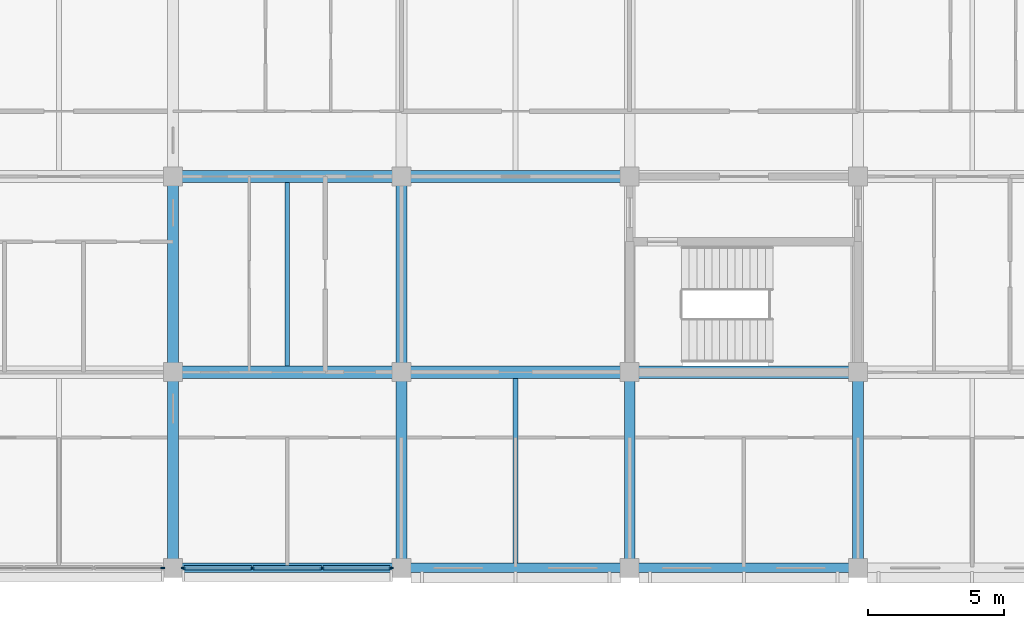
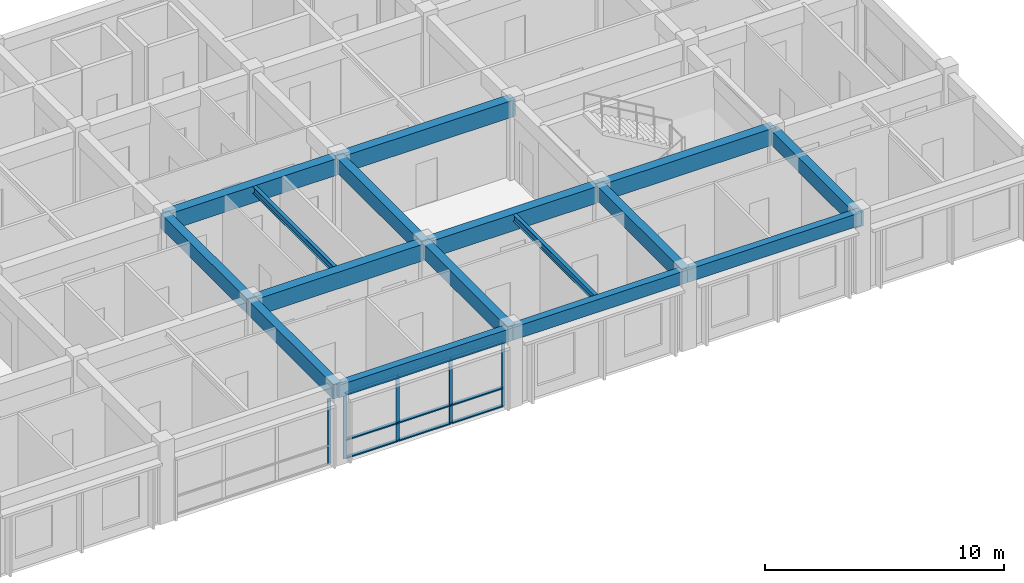
# One storey, part 5 of 19: 16 beams, 14 members, 2 elements without a shape of their own.
"""IFC4 building model written with IfcOpenShell, lengths in metres."""

from ifc_helpers import new_model, si_unit, direction, frame, origin, origin_2d, place, context, subcontext, project, spatial, rectangle, i_section, extrude, material, layer, layer_set, material_profile, profile_set, type_object, element, aggregate, save


model = new_model("IFC4")

# Units and contexts
model_context = context("Model", 3, precision=1e-05, world=origin(), true_north=direction((0.0, 1.0)))
body_context = subcontext(model_context, "Body", "Model", "MODEL_VIEW")
ifc_project = project(units=[si_unit("LENGTHUNIT", "METRE"), si_unit("AREAUNIT", "SQUARE_METRE"), si_unit("VOLUMEUNIT", "CUBIC_METRE"), si_unit("PLANEANGLEUNIT", "RADIAN"), si_unit("MASSUNIT", "GRAM", prefix="KILO")], contexts=[model_context])

# Site, building, storey
site_placement = place(None, origin())
site = spatial("IfcSite", under=ifc_project, at=site_placement, CompositionType="ELEMENT")
building_placement = place(site_placement, origin())
building = spatial("IfcBuilding", under=site, at=building_placement, Name="Chengyuan Square Courthouse", CompositionType="ELEMENT")
storey_placement = place(building_placement, frame((0.0, 0.0, 56.10009765625)))
storey = spatial("IfcBuildingStorey", under=building, at=storey_placement, Name="L13", CompositionType="ELEMENT", Elevation=56.10009765625)

# Beams
ifc_material_1 = material(Name="Concrete C40", Category="concrete")
ifc_material_profile_1 = material_profile(ifc_material_1, rectangle(XDim=0.449951171875, YDim=0.85009765625, at=origin_2d()), Name="RC-BM-450x850")
ifc_profile_set_1 = profile_set([ifc_material_profile_1], Name="Concrete C40")
beam_type_1 = type_object("IfcBeamType", Name="BM-01", PredefinedType="USERDEFINED", material=ifc_profile_set_1)
beam_1_placement = place(storey_placement, frame((84.0, 86.39990234375, 3.534912109375), z_axis=(1.0, 0.0, 0.0), x_axis=(0.0, 1.0, 0.0)))
element("IfcBeam", 1, at=beam_1_placement, inside=storey, type_object=beam_type_1, Name="Girder BM-L13-4347", ObjectType="GIRDER", PredefinedType="USERDEFINED", context=body_context, shape_type="SweptSolid", body=[
    extrude(rectangle(XDim=0.449951171875, YDim=0.85009765625, at=origin_2d()), origin(), (0.0, 0.0, 1.0), 8.39990234375),
])
beam_2_placement = place(storey_placement, frame((92.39990234375, 86.39990234375, 3.534912109375), z_axis=(1.0, 0.0, 0.0), x_axis=(0.0, 1.0, 0.0)))
element("IfcBeam", 2, at=beam_2_placement, inside=storey, type_object=beam_type_1, Name="Girder BM-L13-4348", ObjectType="GIRDER", PredefinedType="USERDEFINED", context=body_context, shape_type="SweptSolid", body=[
    extrude(rectangle(XDim=0.449951171875, YDim=0.85009765625, at=origin_2d()), origin(), (0.0, 0.0, 1.0), 8.400146484375),
])
for number, where, z_axis, x_axis, name in (
    (3, (100.800048828125, 86.39990234375, 3.534912109375), (1.0, 0.0, 0.0), (0.0, 1.0, 0.0), "Girder BM-L13-4349"),
    (4, (84.0, 93.60009765625, 3.534912109375), (1.0, 0.0, 0.0), (0.0, 1.0, 0.0), "Girder BM-L13-4355"),
):
    element("IfcBeam", number, at=place(storey_placement, frame(where, z_axis=z_axis, x_axis=x_axis)), inside=storey, type_object=beam_type_1, Name=name, ObjectType="GIRDER", PredefinedType="USERDEFINED", context=body_context, shape_type="SweptSolid", body=[
        extrude(rectangle(XDim=0.449951171875, YDim=0.85009765625, at=origin_2d()), origin(), (0.0, 0.0, 1.0), 8.39990234375),
    ])
beam_3_placement = place(storey_placement, frame((92.39990234375, 93.60009765625, 3.534912109375), z_axis=(1.0, 0.0, 0.0), x_axis=(0.0, 1.0, 0.0)))
element("IfcBeam", 5, at=beam_3_placement, inside=storey, type_object=beam_type_1, Name="Girder BM-L13-4356", ObjectType="GIRDER", PredefinedType="USERDEFINED", context=body_context, shape_type="SweptSolid", body=[
    extrude(rectangle(XDim=0.449951171875, YDim=0.85009765625, at=origin_2d()), origin(), (0.0, 0.0, 1.0), 8.400146484375),
])
ifc_material_profile_2 = material_profile(ifc_material_1, rectangle(XDim=0.39990234375, YDim=0.75, at=origin_2d()), Name="RC-BM-400x750")
ifc_profile_set_2 = profile_set([ifc_material_profile_2], Name="Concrete C40")
beam_type_2 = type_object("IfcBeamType", Name="BM-02", PredefinedType="USERDEFINED", material=ifc_profile_set_2)
beam_4_placement = place(storey_placement, frame((84.0, 79.199951171875, 3.5849609375), z_axis=(0.0, 1.0, 0.0), x_axis=(-1.0, 0.0, 0.0)))
element("IfcBeam", 6, at=beam_4_placement, inside=storey, type_object=beam_type_2, Name="Girder BM-L13-4391", ObjectType="GIRDER", PredefinedType="USERDEFINED", context=body_context, shape_type="SweptSolid", body=[
    extrude(rectangle(XDim=0.39990234375, YDim=0.75, at=origin_2d()), origin(), (0.0, 0.0, 1.0), 7.199951171875),
])
beam_5_placement = place(storey_placement, frame((84.0, 86.39990234375, 3.5849609375), z_axis=(0.0, 1.0, 0.0), x_axis=(-1.0, 0.0, 0.0)))
element("IfcBeam", 7, at=beam_5_placement, inside=storey, type_object=beam_type_2, Name="Girder BM-L13-4392", ObjectType="GIRDER", PredefinedType="USERDEFINED", context=body_context, shape_type="SweptSolid", body=[
    extrude(rectangle(XDim=0.39990234375, YDim=0.75, at=origin_2d()), origin(), (0.0, 0.0, 1.0), 7.2001953125),
])
beam_6_placement = place(storey_placement, frame((92.39990234375, 79.199951171875, 3.5849609375), z_axis=(0.0, 1.0, 0.0), x_axis=(-1.0, 0.0, 0.0)))
element("IfcBeam", 8, at=beam_6_placement, inside=storey, type_object=beam_type_2, Name="Girder BM-L13-4395", ObjectType="GIRDER", PredefinedType="USERDEFINED", context=body_context, shape_type="SweptSolid", body=[
    extrude(rectangle(XDim=0.39990234375, YDim=0.75, at=origin_2d()), origin(), (0.0, 0.0, 1.0), 7.199951171875),
])
beam_7_placement = place(storey_placement, frame((92.39990234375, 86.39990234375, 3.5849609375), z_axis=(0.0, 1.0, 0.0), x_axis=(-1.0, 0.0, 0.0)))
element("IfcBeam", 9, at=beam_7_placement, inside=storey, type_object=beam_type_2, Name="Girder BM-L13-4396", ObjectType="GIRDER", PredefinedType="USERDEFINED", context=body_context, shape_type="SweptSolid", body=[
    extrude(rectangle(XDim=0.39990234375, YDim=0.75, at=origin_2d()), origin(), (0.0, 0.0, 1.0), 7.2001953125),
])
for number, where, z_axis, x_axis, name in (
    (10, (100.800048828125, 79.199951171875, 3.5849609375), (0.0, 1.0, 0.0), (-1.0, 0.0, 0.0), "Girder BM-L13-4399"),
    (11, (109.199951171875, 79.199951171875, 3.474853515625), (0.0, 1.0, 0.0), (-1.0, 0.0, 0.0), "Girder BM-L13-4403"),
):
    element("IfcBeam", number, at=place(storey_placement, frame(where, z_axis=z_axis, x_axis=x_axis)), inside=storey, type_object=beam_type_2, Name=name, ObjectType="GIRDER", PredefinedType="USERDEFINED", context=body_context, shape_type="SweptSolid", body=[
        extrude(rectangle(XDim=0.39990234375, YDim=0.75, at=origin_2d()), origin(), (0.0, 0.0, 1.0), 7.199951171875),
    ])
ifc_material_profile_3 = material_profile(ifc_material_1, rectangle(XDim=0.35009765625, YDim=0.64990234375, at=origin_2d()), Name="RC-BM-350x650")
ifc_profile_set_3 = profile_set([ifc_material_profile_3], Name="Concrete C40")
beam_type_3 = type_object("IfcBeamType", Name="BM-03", PredefinedType="SPANDREL", material=ifc_profile_set_3)
beam_8_placement = place(storey_placement, frame((84.0, 79.199951171875, 3.635009765625), z_axis=(1.0, 0.0, 0.0), x_axis=(0.0, 1.0, 0.0)))
element("IfcBeam", 12, at=beam_8_placement, inside=storey, type_object=beam_type_3, Name="Girder BM-L13-4339", PredefinedType="SPANDREL", context=body_context, shape_type="SweptSolid", body=[
    extrude(rectangle(XDim=0.35009765625, YDim=0.64990234375, at=origin_2d()), origin(), (0.0, 0.0, 1.0), 8.39990234375),
])
beam_9_placement = place(storey_placement, frame((92.39990234375, 79.199951171875, 3.635009765625), z_axis=(1.0, 0.0, 0.0), x_axis=(0.0, 1.0, 0.0)))
element("IfcBeam", 13, at=beam_9_placement, inside=storey, type_object=beam_type_3, Name="Girder BM-L13-4340", PredefinedType="SPANDREL", context=body_context, shape_type="SweptSolid", body=[
    extrude(rectangle(XDim=0.35009765625, YDim=0.64990234375, at=origin_2d()), origin(), (0.0, 0.0, 1.0), 8.400146484375),
])
beam_10_placement = place(storey_placement, frame((100.800048828125, 79.199951171875, 3.635009765625), z_axis=(1.0, 0.0, 0.0), x_axis=(0.0, 1.0, 0.0)))
element("IfcBeam", 14, at=beam_10_placement, inside=storey, type_object=beam_type_3, Name="Girder BM-L13-4341", PredefinedType="SPANDREL", context=body_context, shape_type="SweptSolid", body=[
    extrude(rectangle(XDim=0.35009765625, YDim=0.64990234375, at=origin_2d()), origin(), (0.0, 0.0, 1.0), 8.39990234375),
])
ifc_material_2 = material(Name="Steel Q355B", Category="steel")
ifc_material_profile_4 = material_profile(ifc_material_2, i_section(OverallWidth=0.175048828125, OverallDepth=0.35009765625, WebThickness=0.007080078125, FlangeThickness=0.010986328125, at=origin_2d()), Name="HN 350x175x7x11")
ifc_profile_set_4 = profile_set([ifc_material_profile_4], Name="Steel Q355B")
beam_type_4 = type_object("IfcBeamType", Name="BM-08", PredefinedType="BEAM", material=ifc_profile_set_4)
beam_11_placement = place(storey_placement, frame((88.199951171875, 86.625, 3.784912109375), z_axis=(0.0, 1.0, 0.0), x_axis=(-1.0, 0.0, 0.0)))
element("IfcBeam", 15, at=beam_11_placement, inside=storey, type_object=beam_type_4, Name="Secondary Floor Beam SBM-L13-4419", PredefinedType="BEAM", context=body_context, shape_type="SweptSolid", body=[
    extrude(i_section(OverallWidth=0.175048828125, OverallDepth=0.35009765625, WebThickness=0.007080078125, FlangeThickness=0.010986328125, at=origin_2d()), origin(), (0.0, 0.0, 1.0), 6.75),
])
beam_12_placement = place(storey_placement, frame((96.60009765625, 79.375, 3.784912109375), z_axis=(0.0, 1.0, 0.0), x_axis=(-1.0, 0.0, 0.0)))
element("IfcBeam", 16, at=beam_12_placement, inside=storey, type_object=beam_type_4, Name="Secondary Floor Beam SBM-L13-4420", PredefinedType="BEAM", context=body_context, shape_type="SweptSolid", body=[
    extrude(i_section(OverallWidth=0.175048828125, OverallDepth=0.35009765625, WebThickness=0.007080078125, FlangeThickness=0.010986328125, at=origin_2d()), origin(), (0.0, 0.0, 1.0), 6.800048828125),
])

# Curtain wall, member
ifc_material_3 = material(Name="Unitised Aluminium and Triple Low-E Glass", Category="aluminium")
ifc_layer = layer(ifc_material_3, 0.159912109375)
ifc_layer_set = layer_set([ifc_layer], Name="Unitised Aluminium and Triple Low-E Glass")
curtain_wall_type = type_object("IfcCurtainWallType", Name="CW-13", PredefinedType="USERDEFINED", material=ifc_layer_set)
curtain_wall_1_placement = place(storey_placement, origin())
curtain_wall_1 = element("IfcCurtainWall", 17, at=curtain_wall_1_placement, inside=storey, type_object=curtain_wall_type, Name="Unitised Curtain Wall CW-L13-267", ObjectType="UNITISED CURTAIN WALL", PredefinedType="USERDEFINED")
ifc_material_4 = material(Name="Aluminium 6063-T6 Frame", Category="aluminium")
ifc_material_profile_5 = material_profile(ifc_material_4, rectangle(XDim=0.06005859375, YDim=0.159912109375, at=origin_2d()), Name="CW-MUL-60x160")
ifc_profile_set_5 = profile_set([ifc_material_profile_5], Name="Aluminium 6063-T6 Frame")
member_type_1 = type_object("IfcMemberType", Name="CWM-01", PredefinedType="MULLION", material=ifc_profile_set_5)
member_1_placement = place(storey_placement, frame((83.6201171875, 79.199951171875, 0.0), z_axis=(0.0, 0.0, 1.0), x_axis=(0.0, 1.0, 0.0)))
member_1 = element("IfcMember", 18, at=member_1_placement, type_object=member_type_1, Name="CW-13 mullion 4", PredefinedType="MULLION", context=body_context, shape_type="SweptSolid", body=[
    extrude(rectangle(XDim=0.06005859375, YDim=0.159912109375, at=origin_2d()), origin(), (0.0, 0.0, 1.0), 3.309814453125),
])
aggregate(curtain_wall_1, [member_1])

# Curtain wall, members
curtain_wall_2_placement = place(storey_placement, origin())
curtain_wall_2 = element("IfcCurtainWall", 19, at=curtain_wall_2_placement, inside=storey, type_object=curtain_wall_type, Name="Unitised Curtain Wall CW-L13-268", ObjectType="UNITISED CURTAIN WALL", PredefinedType="USERDEFINED")
member_2_placement = place(storey_placement, frame((84.3798828125, 79.199951171875, 0.0), z_axis=(0.0, 0.0, 1.0), x_axis=(0.0, 1.0, 0.0)))
member_2 = element("IfcMember", 20, at=member_2_placement, type_object=member_type_1, Name="CW-13 mullion 1", PredefinedType="MULLION", context=body_context, shape_type="SweptSolid", body=[
    extrude(rectangle(XDim=0.06005859375, YDim=0.159912109375, at=origin_2d()), origin(), (0.0, 0.0, 1.0), 3.309814453125),
])
member_3_placement = place(storey_placement, frame((86.916748046875, 79.199951171875, 0.0), z_axis=(0.0, 0.0, 1.0), x_axis=(0.0, 1.0, 0.0)))
member_3 = element("IfcMember", 21, at=member_3_placement, type_object=member_type_1, Name="CW-13 mullion 2", PredefinedType="MULLION", context=body_context, shape_type="SweptSolid", body=[
    extrude(rectangle(XDim=0.06005859375, YDim=0.159912109375, at=origin_2d()), origin(), (0.0, 0.0, 1.0), 3.309814453125),
])
member_4_placement = place(storey_placement, frame((89.4833984375, 79.199951171875, 0.0), z_axis=(0.0, 0.0, 1.0), x_axis=(0.0, 1.0, 0.0)))
member_4 = element("IfcMember", 22, at=member_4_placement, type_object=member_type_1, Name="CW-13 mullion 3", PredefinedType="MULLION", context=body_context, shape_type="SweptSolid", body=[
    extrude(rectangle(XDim=0.06005859375, YDim=0.159912109375, at=origin_2d()), origin(), (0.0, 0.0, 1.0), 3.309814453125),
])
member_5_placement = place(storey_placement, frame((92.02001953125, 79.199951171875, 0.0), z_axis=(0.0, 0.0, 1.0), x_axis=(0.0, 1.0, 0.0)))
member_5 = element("IfcMember", 23, at=member_5_placement, type_object=member_type_1, Name="CW-13 mullion 4", PredefinedType="MULLION", context=body_context, shape_type="SweptSolid", body=[
    extrude(rectangle(XDim=0.06005859375, YDim=0.159912109375, at=origin_2d()), origin(), (0.0, 0.0, 1.0), 3.309814453125),
])
ifc_material_profile_6 = material_profile(ifc_material_4, rectangle(XDim=0.159912109375, YDim=0.06005859375, at=origin_2d()), Name="CW-TRN-60x120")
ifc_profile_set_6 = profile_set([ifc_material_profile_6], Name="Aluminium 6063-T6 Frame")
member_type_2 = type_object("IfcMemberType", Name="CWT-01", PredefinedType="USERDEFINED", material=ifc_profile_set_6)
member_6_placement = place(storey_placement, frame((84.409912109375, 79.199951171875, 0.02978515625), z_axis=(1.0, 0.0, 0.0), x_axis=(0.0, 1.0, 0.0)))
member_6 = element("IfcMember", 24, at=member_6_placement, type_object=member_type_2, Name="CW-13 transom 1.1", ObjectType="TRANSOM", PredefinedType="USERDEFINED", context=body_context, shape_type="SweptSolid", body=[
    extrude(rectangle(XDim=0.159912109375, YDim=0.06005859375, at=origin_2d()), origin(), (0.0, 0.0, 1.0), 2.476806640625),
])
member_7_placement = place(storey_placement, frame((84.409912109375, 79.199951171875, 0.949951171875), z_axis=(1.0, 0.0, 0.0), x_axis=(0.0, 1.0, 0.0)))
member_7 = element("IfcMember", 25, at=member_7_placement, type_object=member_type_2, Name="CW-13 transom 1.2", ObjectType="TRANSOM", PredefinedType="USERDEFINED", context=body_context, shape_type="SweptSolid", body=[
    extrude(rectangle(XDim=0.159912109375, YDim=0.06005859375, at=origin_2d()), origin(), (0.0, 0.0, 1.0), 2.476806640625),
])
member_8_placement = place(storey_placement, frame((84.409912109375, 79.199951171875, 3.27978515625), z_axis=(1.0, 0.0, 0.0), x_axis=(0.0, 1.0, 0.0)))
member_8 = element("IfcMember", 26, at=member_8_placement, type_object=member_type_2, Name="CW-13 transom 1.3", ObjectType="TRANSOM", PredefinedType="USERDEFINED", context=body_context, shape_type="SweptSolid", body=[
    extrude(rectangle(XDim=0.159912109375, YDim=0.06005859375, at=origin_2d()), origin(), (0.0, 0.0, 1.0), 2.476806640625),
])
member_9_placement = place(storey_placement, frame((86.94677734375, 79.199951171875, 0.02978515625), z_axis=(1.0, 0.0, 0.0), x_axis=(0.0, 1.0, 0.0)))
member_9 = element("IfcMember", 27, at=member_9_placement, type_object=member_type_2, Name="CW-13 transom 2.1", ObjectType="TRANSOM", PredefinedType="USERDEFINED", context=body_context, shape_type="SweptSolid", body=[
    extrude(rectangle(XDim=0.159912109375, YDim=0.06005859375, at=origin_2d()), origin(), (0.0, 0.0, 1.0), 2.506591796875),
])
member_10_placement = place(storey_placement, frame((86.94677734375, 79.199951171875, 0.949951171875), z_axis=(1.0, 0.0, 0.0), x_axis=(0.0, 1.0, 0.0)))
member_10 = element("IfcMember", 28, at=member_10_placement, type_object=member_type_2, Name="CW-13 transom 2.2", ObjectType="TRANSOM", PredefinedType="USERDEFINED", context=body_context, shape_type="SweptSolid", body=[
    extrude(rectangle(XDim=0.159912109375, YDim=0.06005859375, at=origin_2d()), origin(), (0.0, 0.0, 1.0), 2.506591796875),
])
member_11_placement = place(storey_placement, frame((86.94677734375, 79.199951171875, 3.27978515625), z_axis=(1.0, 0.0, 0.0), x_axis=(0.0, 1.0, 0.0)))
member_11 = element("IfcMember", 29, at=member_11_placement, type_object=member_type_2, Name="CW-13 transom 2.3", ObjectType="TRANSOM", PredefinedType="USERDEFINED", context=body_context, shape_type="SweptSolid", body=[
    extrude(rectangle(XDim=0.159912109375, YDim=0.06005859375, at=origin_2d()), origin(), (0.0, 0.0, 1.0), 2.506591796875),
])
member_12_placement = place(storey_placement, frame((89.513427734375, 79.199951171875, 0.02978515625), z_axis=(1.0, 0.0, 0.0), x_axis=(0.0, 1.0, 0.0)))
member_12 = element("IfcMember", 30, at=member_12_placement, type_object=member_type_2, Name="CW-13 transom 3.1", ObjectType="TRANSOM", PredefinedType="USERDEFINED", context=body_context, shape_type="SweptSolid", body=[
    extrude(rectangle(XDim=0.159912109375, YDim=0.06005859375, at=origin_2d()), origin(), (0.0, 0.0, 1.0), 2.4765625),
])
member_13_placement = place(storey_placement, frame((89.513427734375, 79.199951171875, 0.949951171875), z_axis=(1.0, 0.0, 0.0), x_axis=(0.0, 1.0, 0.0)))
member_13 = element("IfcMember", 31, at=member_13_placement, type_object=member_type_2, Name="CW-13 transom 3.2", ObjectType="TRANSOM", PredefinedType="USERDEFINED", context=body_context, shape_type="SweptSolid", body=[
    extrude(rectangle(XDim=0.159912109375, YDim=0.06005859375, at=origin_2d()), origin(), (0.0, 0.0, 1.0), 2.4765625),
])
member_14_placement = place(storey_placement, frame((89.513427734375, 79.199951171875, 3.27978515625), z_axis=(1.0, 0.0, 0.0), x_axis=(0.0, 1.0, 0.0)))
member_14 = element("IfcMember", 32, at=member_14_placement, type_object=member_type_2, Name="CW-13 transom 3.3", ObjectType="TRANSOM", PredefinedType="USERDEFINED", context=body_context, shape_type="SweptSolid", body=[
    extrude(rectangle(XDim=0.159912109375, YDim=0.06005859375, at=origin_2d()), origin(), (0.0, 0.0, 1.0), 2.4765625),
])
aggregate(curtain_wall_2, [member_2, member_3, member_4, member_5, member_6, member_7, member_8, member_9, member_10, member_11, member_12, member_13, member_14])

save(model, "model.ifc")
